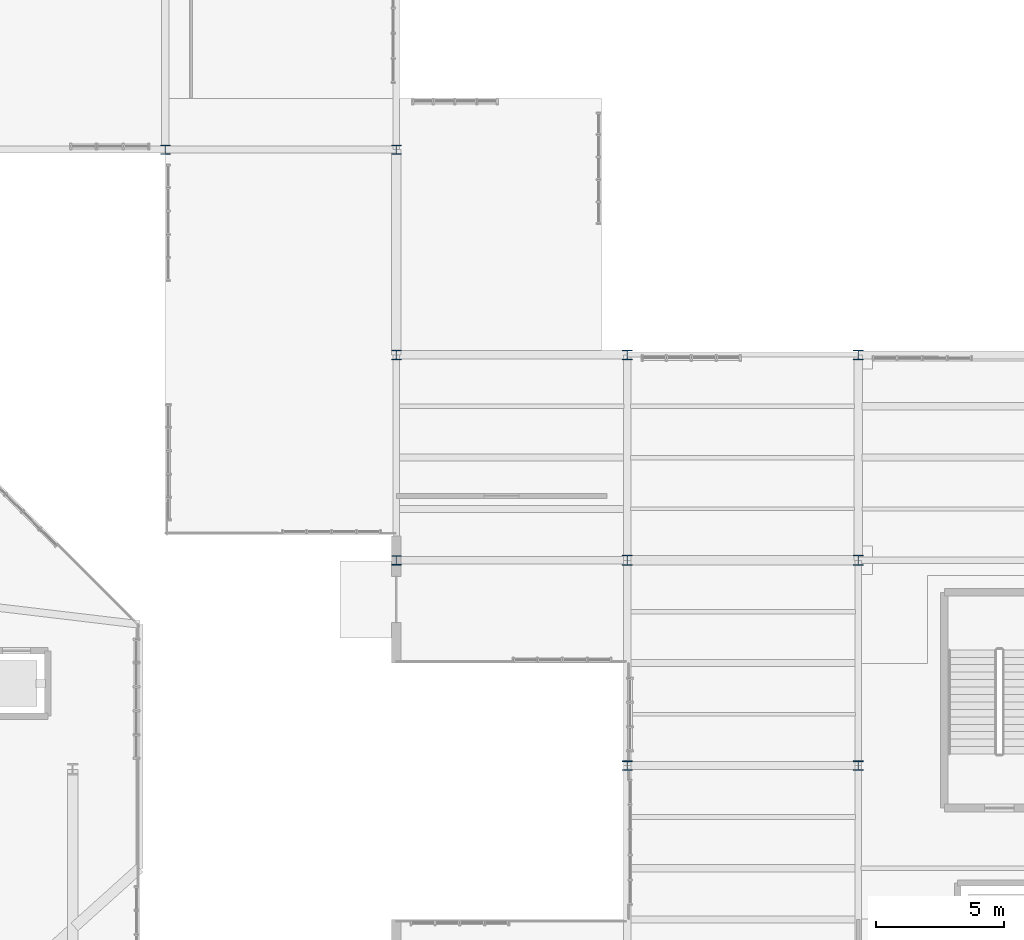
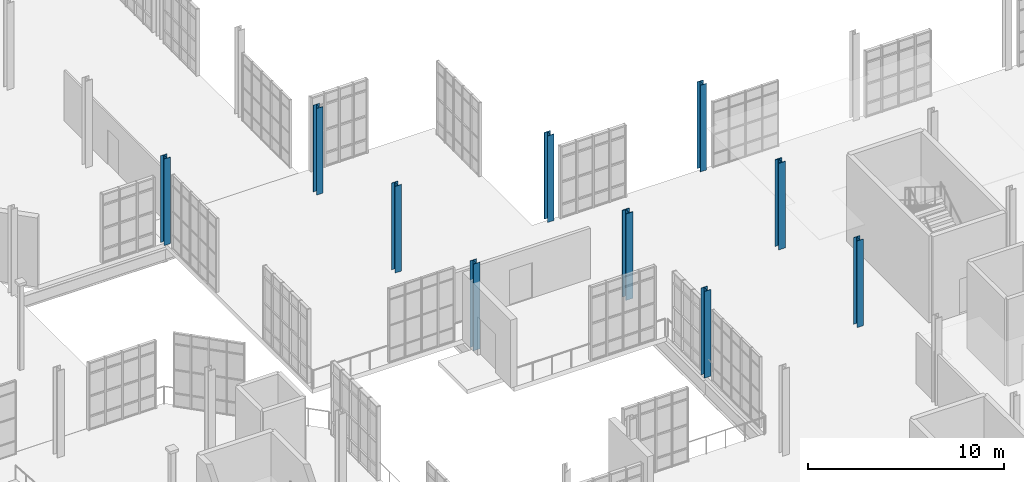
# One storey, part 9 of 189: 10 columns.
"""IFC4 building model written with IfcOpenShell, lengths in metres."""

from ifc_helpers import new_model, si_unit, direction, frame, origin, origin_2d, place, context, subcontext, project, spatial, i_section, extrude, material, material_profile, profile_set, type_object, element, save


model = new_model("IFC4")

# Units and contexts
model_context = context("Model", 3, precision=1e-05, world=origin(), true_north=direction((0.0, 1.0)))
body_context = subcontext(model_context, "Body", "Model", "MODEL_VIEW")
ifc_project = project(units=[si_unit("LENGTHUNIT", "METRE"), si_unit("AREAUNIT", "SQUARE_METRE"), si_unit("VOLUMEUNIT", "CUBIC_METRE"), si_unit("PLANEANGLEUNIT", "RADIAN"), si_unit("MASSUNIT", "GRAM", prefix="KILO"), si_unit("THERMODYNAMICTEMPERATUREUNIT", "KELVIN"), si_unit("POWERUNIT", "WATT")], contexts=[model_context])

# Site, building, storey
site_placement = place(None, origin())
site = spatial("IfcSite", under=ifc_project, at=site_placement, CompositionType="ELEMENT")
building_placement = place(site_placement, origin())
building = spatial("IfcBuilding", under=site, at=building_placement, Name="Zelmaris Science Centre", CompositionType="ELEMENT")
storey_placement = place(building_placement, origin())
storey = spatial("IfcBuildingStorey", under=building, at=storey_placement, Name="L00", CompositionType="ELEMENT", Elevation=0.0)

# Columns
ifc_material = material(Name="Steel ASTM A992 Grade 50", Category="steel")
ifc_material_profile_1 = material_profile(ifc_material, i_section(OverallWidth=0.40087890625, OverallDepth=0.39892578125, WebThickness=0.02490234375, FlangeThickness=0.03955078125, FilletRadius=0.014892578125, at=origin_2d()), Name="W14X211")
ifc_profile_set_1 = profile_set([ifc_material_profile_1], Name="Steel ASTM A992 Grade 50")
column_type_1 = type_object("IfcColumnType", Name="Column C-03 W14X211", PredefinedType="COLUMN", material=ifc_profile_set_1)
for number, where, z_axis, x_axis, name in (
    (1, (117.0, 48.0, 0.0), (0.0, 0.0, 1.0), (1.0, 0.0, 0.0), "Column V4-C-117-48 L00"),
    (2, (126.0, 48.0, 0.0), (0.0, 0.0, 1.0), (1.0, 0.0, 0.0), "Column V4-C-126-48 L00"),
):
    element("IfcColumn", number, at=place(storey_placement, frame(where, z_axis=z_axis, x_axis=x_axis)), inside=storey, type_object=column_type_1, Name=name, PredefinedType="COLUMN", context=body_context, shape_type="SweptSolid", body=[
        extrude(i_section(OverallWidth=0.40087890625, OverallDepth=0.39892578125, WebThickness=0.02490234375, FlangeThickness=0.03955078125, FilletRadius=0.014892578125, at=origin_2d()), origin(), (0.0, 0.0, 1.0), 5.39990234375),
    ])
ifc_material_profile_2 = material_profile(ifc_material, i_section(OverallWidth=0.373046875, OverallDepth=0.367919921875, WebThickness=0.014892578125, FlangeThickness=0.02392578125, FilletRadius=0.014892578125, at=origin_2d()), Name="W14X120")
ifc_profile_set_2 = profile_set([ifc_material_profile_2], Name="Steel ASTM A992 Grade 50")
column_type_2 = type_object("IfcColumnType", Name="Column C-06 W14X120", PredefinedType="COLUMN", material=ifc_profile_set_2)
for number, where, z_axis, x_axis, name in (
    (3, (108.0, 48.0, 0.0), (0.0, 0.0, 1.0), (1.0, 0.0, 0.0), "Column V4-C-108-48 L00"),
    (4, (108.0, 56.0, 0.0), (0.0, 0.0, 1.0), (1.0, 0.0, 0.0), "Column V4-C-108-56 L00"),
    (5, (117.0, 40.0, 0.0), (0.0, 0.0, 1.0), (1.0, 0.0, 0.0), "Column V4-C-117-40 L00"),
    (6, (117.0, 56.0, 0.0), (0.0, 0.0, 1.0), (1.0, 0.0, 0.0), "Column V4-C-117-56 L00"),
    (7, (126.0, 40.0, 0.0), (0.0, 0.0, 1.0), (1.0, 0.0, 0.0), "Column V4-C-126-40 L00"),
    (8, (126.0, 56.0, 0.0), (0.0, 0.0, 1.0), (1.0, 0.0, 0.0), "Column V4-C-126-56 L00"),
):
    element("IfcColumn", number, at=place(storey_placement, frame(where, z_axis=z_axis, x_axis=x_axis)), inside=storey, type_object=column_type_2, Name=name, PredefinedType="COLUMN", context=body_context, shape_type="SweptSolid", body=[
        extrude(i_section(OverallWidth=0.373046875, OverallDepth=0.367919921875, WebThickness=0.014892578125, FlangeThickness=0.02392578125, FilletRadius=0.014892578125, at=origin_2d()), origin(), (0.0, 0.0, 1.0), 5.39990234375),
    ])
ifc_material_profile_3 = material_profile(ifc_material, i_section(OverallWidth=0.367919921875, OverallDepth=0.35595703125, WebThickness=0.01123046875, FlangeThickness=0.01806640625, FilletRadius=0.014892578125, at=origin_2d()), Name="W14X90")
ifc_profile_set_3 = profile_set([ifc_material_profile_3], Name="Steel ASTM A992 Grade 50")
column_type_3 = type_object("IfcColumnType", Name="Column C-07 W14X90", PredefinedType="COLUMN", material=ifc_profile_set_3)
for number, where, z_axis, x_axis, name in (
    (9, (99.0, 64.0, 0.0), (0.0, 0.0, 1.0), (1.0, 0.0, 0.0), "Column V5-C-99-64 L00"),
    (10, (108.0, 64.0, 0.0), (0.0, 0.0, 1.0), (1.0, 0.0, 0.0), "Column V5-C-108-64 L00"),
):
    element("IfcColumn", number, at=place(storey_placement, frame(where, z_axis=z_axis, x_axis=x_axis)), inside=storey, type_object=column_type_3, Name=name, PredefinedType="COLUMN", context=body_context, shape_type="SweptSolid", body=[
        extrude(i_section(OverallWidth=0.367919921875, OverallDepth=0.35595703125, WebThickness=0.01123046875, FlangeThickness=0.01806640625, FilletRadius=0.014892578125, at=origin_2d()), origin(), (0.0, 0.0, 1.0), 5.39990234375),
    ])

save(model, "model.ifc")
